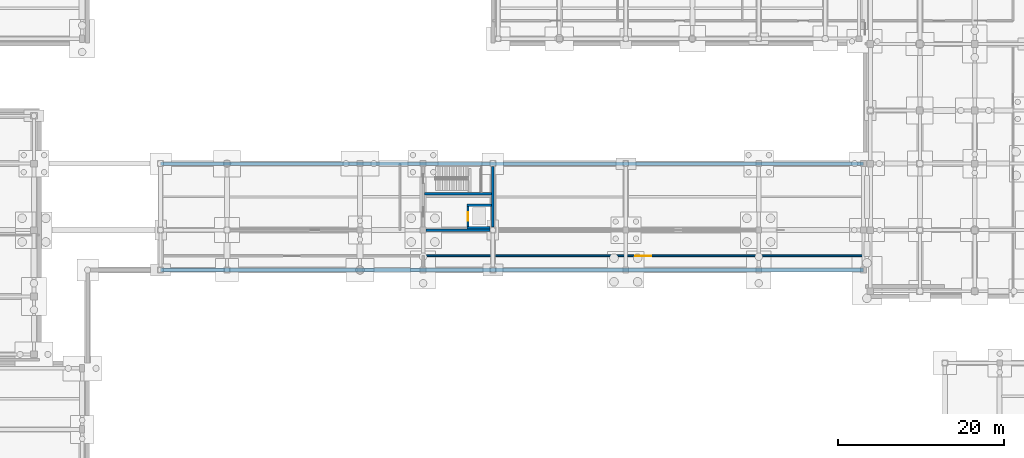
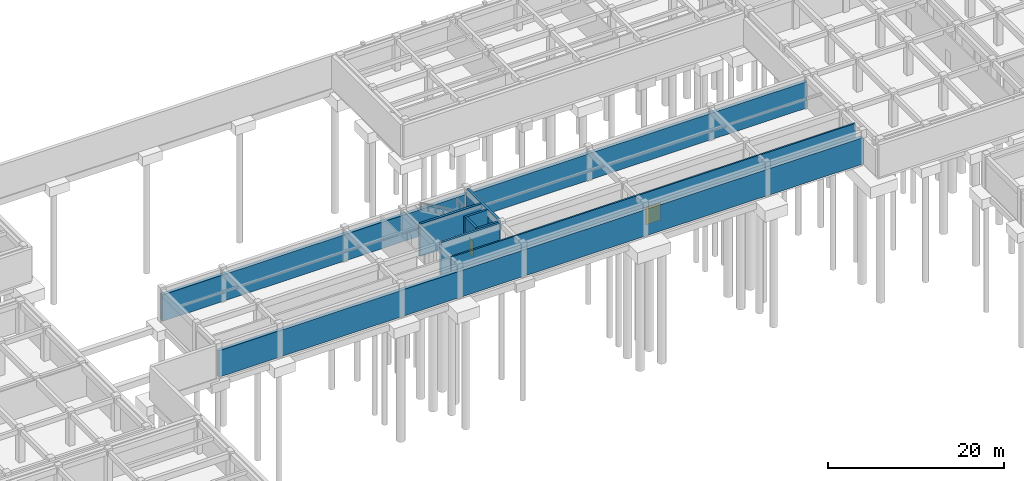
# One storey, part 24 of 35: 9 walls, 2 doors, 2 openings.
"""IFC4 building model written with IfcOpenShell, lengths in metres."""

from ifc_helpers import new_model, si_unit, direction, frame, frame_2d, origin, place, context, subcontext, project, spatial, rectangle, extrude, material, layer, layer_set, type_object, element, fill, save


model = new_model("IFC4")

# Units and contexts
model_context = context("Model", 3, precision=1e-05, world=origin(), true_north=direction((0.0, 1.0)))
body_context = subcontext(model_context, "Body", "Model", "MODEL_VIEW")
ifc_project = project(units=[si_unit("LENGTHUNIT", "METRE"), si_unit("AREAUNIT", "SQUARE_METRE"), si_unit("VOLUMEUNIT", "CUBIC_METRE"), si_unit("PLANEANGLEUNIT", "RADIAN"), si_unit("MASSUNIT", "GRAM", prefix="KILO")], contexts=[model_context])

# Site, building, storey
site_placement = place(None, origin())
site = spatial("IfcSite", under=ifc_project, at=site_placement, CompositionType="ELEMENT")
building_placement = place(site_placement, origin())
building = spatial("IfcBuilding", under=site, at=building_placement, Name="Cinchona Park Media Centre", CompositionType="ELEMENT")
storey_placement = place(building_placement, frame((0.0, 0.0, -4.800048828125)))
storey = spatial("IfcBuildingStorey", under=building, at=storey_placement, Name="B1", CompositionType="ELEMENT", Elevation=-4.800048828125)

# Wall, opening, door
ifc_material_1 = material(Name="Acoustic Double-Stud Gypsum Partition", Category="gypsum")
ifc_layer_1 = layer(ifc_material_1, 0.2099609375)
ifc_layer_set_1 = layer_set([ifc_layer_1], Name="Acoustic Double-Stud Gypsum Partition")
wall_type_1 = type_object("IfcWallType", Name="WALL-W-AC210", PredefinedType="PARTITIONING", material=ifc_layer_set_1)
wall_1_placement = place(storey_placement, frame((139.39990234375, 76.5, 0.0), z_axis=(0.0, 0.0, 1.0), x_axis=(-1.0, 0.0, 0.0)))
wall_1 = element("IfcWall", 1, at=wall_1_placement, inside=storey, type_object=wall_type_1, Name="Interior Wall W-AC210 B1", PredefinedType="PARTITIONING", context=body_context, shape_type="SweptSolid", body=[
    extrude(rectangle(XDim=53.0, YDim=0.2099609375, at=frame_2d((26.5, 0.0))), origin(), (0.0, 0.0, 1.0), 4.52001953125),
])
opening_1_placement = place(wall_1_placement, frame((25.530029296875, 0.0, 0.0)))
opening_1 = element("IfcOpeningElement", 2, at=opening_1_placement, cuts=wall_1, Name="Opening D161", PredefinedType="OPENING", context=body_context, shape_type="SweptSolid", body=[
    extrude(rectangle(XDim=1.93994140625, YDim=2.39990234375, at=frame_2d((0.969970703125, 1.199951171875))), frame((0.0, 0.114990234375, 0.0), z_axis=(0.0, -1.0, 0.0), x_axis=(1.0, 0.0, 0.0)), (0.0, 0.0, 1.0), 0.22998046875),
])
ifc_material_2 = material(Name="Fire-Rated Acoustic Timber-Steel Door", Category="steel")
door_type_1 = type_object("IfcDoorType", Name="DOOR-DT23", OperationType="NOTDEFINED", PredefinedType="DOOR", material=ifc_material_2)
door_1_placement = place(opening_1_placement, origin())
door_1 = element("IfcDoor", 3, at=door_1_placement, inside=storey, type_object=door_type_1, Name="Interior Door D161", OperationType="SINGLE_SWING_LEFT", OverallHeight=2.39990234375, OverallWidth=1.93994140625, PredefinedType="DOOR", context=body_context, shape_type="SweptSolid", body=[
    extrude(rectangle(XDim=1.93994140625, YDim=2.39990234375, at=frame_2d((0.969970703125, 1.199951171875))), frame((0.0, 0.02490234375, 0.0), z_axis=(0.0, -1.0, 0.0), x_axis=(1.0, 0.0, 0.0)), (0.0, 0.0, 1.0), 0.050048828125),
])
fill(opening_1, door_1)

# Walls
ifc_material_3 = material(Name="Concrete C40/50", Category="concrete")
ifc_layer_2 = layer(ifc_material_3, 0.300048828125)
ifc_layer_set_2 = layer_set([ifc_layer_2], Name="Concrete C40/50")
wall_type_2 = type_object("IfcWallType", Name="WALL-W-CR300", PredefinedType="SHEAR", material=ifc_layer_set_2)
wall_2_placement = place(storey_placement, frame((86.751953125, 79.60009765625, 0.0), z_axis=(0.0, 0.0, 1.0), x_axis=(1.0, 0.0, 0.0)))
element("IfcWall", 4, at=wall_2_placement, inside=storey, type_object=wall_type_2, Name="Core Shear Wall W-CR300 B1", PredefinedType="SHEAR", context=body_context, shape_type="SweptSolid", body=[
    extrude(rectangle(XDim=7.696044921875, YDim=0.300048828125, at=frame_2d((3.84814453125, 0.0))), origin(), (0.0, 0.0, 1.0), 4.52001953125),
])
wall_3_placement = place(storey_placement, frame((94.800048828125, 79.951904296875, 0.0), z_axis=(0.0, 0.0, 1.0), x_axis=(0.0, 1.0, 0.0)))
element("IfcWall", 5, at=wall_3_placement, inside=storey, type_object=wall_type_2, Name="Core Shear Wall W-CR300 B1", PredefinedType="SHEAR", context=body_context, shape_type="SweptSolid", body=[
    extrude(rectangle(XDim=7.296142578125, YDim=0.300048828125, at=frame_2d((3.64794921875, 0.0))), origin(), (0.0, 0.0, 1.0), 4.52001953125),
])
wall_4_placement = place(storey_placement, frame((86.550048828125, 84.0, 0.0), z_axis=(0.0, 0.0, 1.0), x_axis=(1.0, 0.0, 0.0)))
element("IfcWall", 6, at=wall_4_placement, inside=storey, type_object=wall_type_2, Name="Core Shear Wall W-CR300 B1", PredefinedType="SHEAR", context=body_context, shape_type="SweptSolid", body=[
    extrude(rectangle(XDim=8.099853515625, YDim=0.300048828125, at=frame_2d((4.0498046875, 0.0))), origin(), (0.0, 0.0, 1.0), 4.52001953125),
])
ifc_material_4 = material(Name="Concrete C40/50", Category="concrete")
ifc_layer_3 = layer(ifc_material_4, 0.449951171875)
ifc_layer_set_3 = layer_set([ifc_layer_3], Name="Concrete C40/50")
wall_type_3 = type_object("IfcWallType", Name="WALL-W-RT02", PredefinedType="USERDEFINED", material=ifc_layer_set_3)
for number, where, z_axis, x_axis, name in (
    (7, (54.800048828125, 87.60009765625, 0.0), (0.0, 0.0, 1.0), (1.0, 0.0, 0.0), "Basement Retaining Wall W-RT02"),
    (8, (139.39990234375, 74.800048828125, 0.0), (0.0, 0.0, 1.0), (-1.0, 0.0, 0.0), "Basement Retaining Wall W-RT02"),
):
    element("IfcWall", number, at=place(storey_placement, frame(where, z_axis=z_axis, x_axis=x_axis)), inside=storey, type_object=wall_type_3, Name=name, ObjectType="RETAININGWALL", PredefinedType="USERDEFINED", context=body_context, shape_type="SweptSolid", body=[
        extrude(rectangle(XDim=84.599853515625, YDim=0.449951171875, at=frame_2d((42.2998046875, 0.0))), origin(), (0.0, 0.0, 1.0), 3.670166015625),
    ])
ifc_material_5 = material(Name="Concrete C40/50", Category="concrete")
ifc_layer_4 = layer(ifc_material_5, 0.2900390625)
ifc_layer_set_4 = layer_set([ifc_layer_4], Name="Concrete C40/50")
wall_type_4 = type_object("IfcWallType", Name="WALL-W-SH290", PredefinedType="SHEAR", material=ifc_layer_set_4)
wall_5_placement = place(storey_placement, frame((91.655029296875, 79.89990234375, 0.0), z_axis=(0.0, 0.0, 1.0), x_axis=(1.0, 0.0, 0.0)))
element("IfcWall", 9, at=wall_5_placement, inside=storey, type_object=wall_type_4, Name="Core Shear Wall W-SH290 B1", PredefinedType="SHEAR", context=body_context, shape_type="SweptSolid", body=[
    extrude(rectangle(XDim=2.79296875, YDim=0.2900390625, at=frame_2d((1.396484375, 0.0))), origin(), (0.0, 0.0, 1.0), 4.52001953125),
])
wall_6_placement = place(storey_placement, frame((91.655029296875, 82.60009765625, 0.0), z_axis=(0.0, 0.0, 1.0), x_axis=(1.0, 0.0, 0.0)))
element("IfcWall", 10, at=wall_6_placement, inside=storey, type_object=wall_type_4, Name="Core Shear Wall W-SH290 B1", PredefinedType="SHEAR", context=body_context, shape_type="SweptSolid", body=[
    extrude(rectangle(XDim=2.989990234375, YDim=0.2900390625, at=frame_2d((1.4951171875, 0.0))), origin(), (0.0, 0.0, 1.0), 4.52001953125),
])

# Wall, opening, door
wall_7_placement = place(storey_placement, frame((91.800048828125, 80.044921875, 0.0), z_axis=(0.0, 0.0, 1.0), x_axis=(0.0, 1.0, 0.0)))
wall_7 = element("IfcWall", 11, at=wall_7_placement, inside=storey, type_object=wall_type_4, Name="Core Shear Wall W-SH290 B1", PredefinedType="SHEAR", context=body_context, shape_type="SweptSolid", body=[
    extrude(rectangle(XDim=2.41015625, YDim=0.2900390625, at=frame_2d((1.205078125, 0.0))), origin(), (0.0, 0.0, 1.0), 4.52001953125),
])
opening_2_placement = place(wall_7_placement, frame((0.705078125, 0.0, 0.0)))
opening_2 = element("IfcOpeningElement", 12, at=opening_2_placement, cuts=wall_7, Name="Opening LD05", PredefinedType="OPENING", context=body_context, shape_type="SweptSolid", body=[
    extrude(rectangle(XDim=1.0, YDim=2.14990234375, at=frame_2d((0.5, 1.074951171875))), frame((0.0, 0.155029296875, 0.0), z_axis=(0.0, -1.0, 0.0), x_axis=(1.0, 0.0, 0.0)), (0.0, 0.0, 1.0), 0.31005859375),
])
ifc_material_6 = material(Name="Stainless Steel Sliding Lift Landing Door", Category="steel")
door_type_2 = type_object("IfcDoorType", Name="DOOR-DT-LD2", OperationType="NOTDEFINED", PredefinedType="DOOR", material=ifc_material_6)
door_2_placement = place(opening_2_placement, origin())
door_2 = element("IfcDoor", 13, at=door_2_placement, inside=storey, type_object=door_type_2, Name="Lift Landing Door LD05", OperationType="SLIDING_TO_LEFT", OverallHeight=2.14990234375, OverallWidth=1.0, PredefinedType="DOOR", context=body_context, shape_type="SweptSolid", body=[
    extrude(rectangle(XDim=1.0, YDim=2.14990234375, at=frame_2d((0.5, 1.074951171875))), frame((0.0, 0.02490234375, 0.0), z_axis=(0.0, -1.0, 0.0), x_axis=(1.0, 0.0, 0.0)), (0.0, 0.0, 1.0), 0.050048828125),
])
fill(opening_2, door_2)

save(model, "model.ifc")
